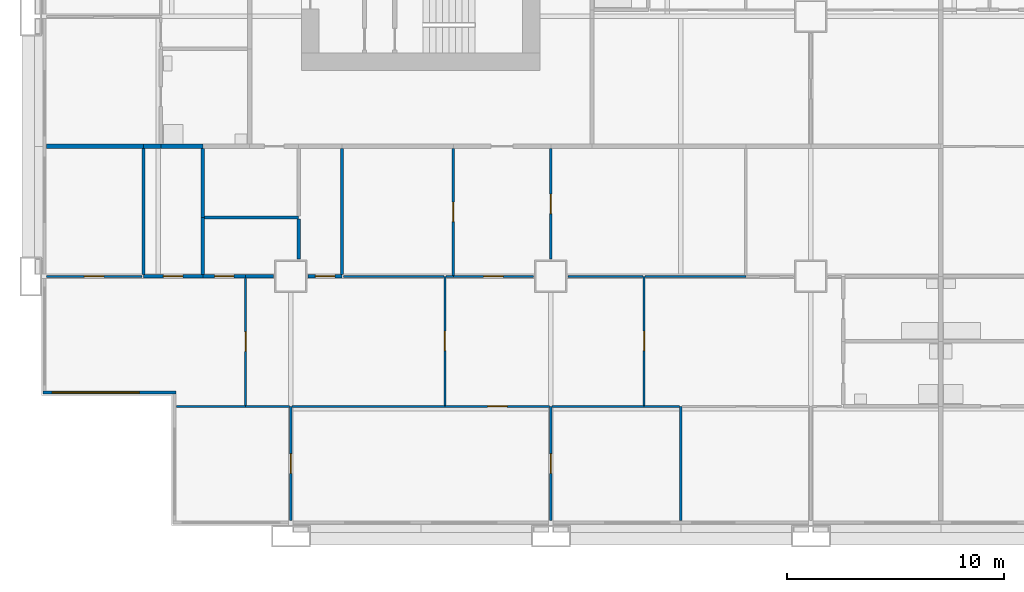
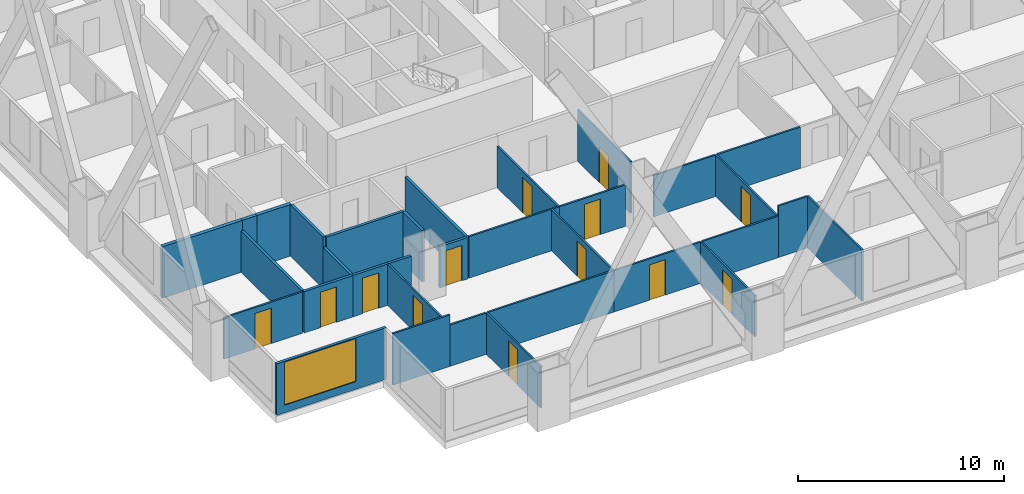
# One storey, part 2 of 13: 34 walls, 13 doors, 1 window, 14 openings.
"""IFC4 building model written with IfcOpenShell, lengths in metres."""

from ifc_helpers import new_model, si_unit, direction, frame, frame_2d, origin, place, context, subcontext, project, spatial, rectangle, extrude, material, layer, layer_set, type_object, element, fill, save


model = new_model("IFC4")

# Units and contexts
model_context = context("Model", 3, precision=1e-05, world=origin(), true_north=direction((0.0, 1.0)))
body_context = subcontext(model_context, "Body", "Model", "MODEL_VIEW")
ifc_project = project(units=[si_unit("LENGTHUNIT", "METRE"), si_unit("AREAUNIT", "SQUARE_METRE"), si_unit("VOLUMEUNIT", "CUBIC_METRE"), si_unit("PLANEANGLEUNIT", "RADIAN"), si_unit("MASSUNIT", "GRAM", prefix="KILO")], contexts=[model_context])

# Site, building, storey
site_placement = place(None, origin())
site = spatial("IfcSite", under=ifc_project, at=site_placement, CompositionType="ELEMENT")
building_placement = place(site_placement, origin())
building = spatial("IfcBuilding", under=site, at=building_placement, Name="Kitamizu Gate Tower and Museum", CompositionType="ELEMENT")
storey_placement = place(building_placement, frame((0.0, 0.0, 50.699951171875)))
storey = spatial("IfcBuildingStorey", under=building, at=storey_placement, Name="L11", CompositionType="ELEMENT", Elevation=50.699951171875)

# Wall, opening, door
ifc_material_1 = material(Name="Gypsum board on galvanised stud")
ifc_layer_1 = layer(ifc_material_1, 0.10009765625)
ifc_layer_set_1 = layer_set([ifc_layer_1], Name="Gypsum board on galvanised stud")
wall_type_1 = type_object("IfcWallType", Name="Partition 100 NOT RATED", PredefinedType="PARTITIONING", material=ifc_layer_set_1)
wall_1_placement = place(storey_placement, frame((12.0, 0.719970703125, 0.0), z_axis=(0.0, 0.0, 1.0), x_axis=(0.0, 1.0, 0.0)))
wall_1 = element("IfcWall", 1, at=wall_1_placement, inside=storey, type_object=wall_type_1, Name="Partition L11-001", PredefinedType="PARTITIONING", context=body_context, shape_type="SweptSolid", body=[
    extrude(rectangle(XDim=5.280029296875, YDim=0.10009765625, at=frame_2d((2.64013671875, 0.0))), origin(), (0.0, 0.0, 1.0), 2.449951171875),
])
opening_1_placement = place(wall_1_placement, frame((2.18994140625, 0.0, 0.0)))
opening_1 = element("IfcOpeningElement", 2, at=opening_1_placement, cuts=wall_1, Name="Opening L11-006", PredefinedType="OPENING", context=body_context, shape_type="SweptSolid", body=[
    extrude(rectangle(XDim=0.89990234375, YDim=2.10009765625, at=frame_2d((0.449951171875, 1.050048828125))), frame((0.0, 0.06005859375, 0.0), z_axis=(0.0, -1.0, 0.0), x_axis=(1.0, 0.0, 0.0)), (0.0, 0.0, 1.0), 0.1201171875),
])
ifc_material_2 = material(Name="Timber door set", Category="wood")
door_type_1 = type_object("IfcDoorType", Name="Room door 900", OperationType="NOTDEFINED", PredefinedType="DOOR", material=ifc_material_2)
door_1_placement = place(opening_1_placement, origin())
door_1 = element("IfcDoor", 3, at=door_1_placement, inside=storey, type_object=door_type_1, Name="Door L11-006", OperationType="SINGLE_SWING_RIGHT", OverallHeight=2.10009765625, OverallWidth=0.89990234375, PredefinedType="DOOR", context=body_context, shape_type="SweptSolid", body=[
    extrude(rectangle(XDim=0.89990234375, YDim=2.10009765625, at=frame_2d((0.449951171875, 1.050048828125))), frame((0.0, 0.02490234375, 0.0), z_axis=(0.0, -1.0, 0.0), x_axis=(1.0, 0.0, 0.0)), (0.0, 0.0, 1.0), 0.050048828125),
])
fill(opening_1, door_1)

# Walls
wall_2_placement = place(storey_placement, frame((9.9150390625, 6.0, 0.0), z_axis=(0.0, 0.0, 1.0), x_axis=(-1.0, 0.0, 0.0)))
element("IfcWall", 4, at=wall_2_placement, inside=storey, type_object=wall_type_1, Name="Partition L11-002", PredefinedType="PARTITIONING", context=body_context, shape_type="SweptSolid", body=[
    extrude(rectangle(XDim=3.195068359375, YDim=0.10009765625, at=frame_2d((1.59765625, 0.0))), origin(), (0.0, 0.0, 1.0), 3.050048828125),
])
wall_3_placement = place(storey_placement, frame((11.949951171875, 6.0, 0.0), z_axis=(0.0, 0.0, 1.0), x_axis=(-1.0, 0.0, 0.0)))
element("IfcWall", 5, at=wall_3_placement, inside=storey, type_object=wall_type_1, Name="Partition L11-003", PredefinedType="PARTITIONING", context=body_context, shape_type="SweptSolid", body=[
    extrude(rectangle(XDim=2.034912109375, YDim=0.10009765625, at=frame_2d((1.017578125, 0.0))), origin(), (0.0, 0.0, 1.0), 2.449951171875),
])

# Wall, opening, door
wall_4_placement = place(storey_placement, frame((24.0, 0.719970703125, 0.0), z_axis=(0.0, 0.0, 1.0), x_axis=(0.0, 1.0, 0.0)))
wall_4 = element("IfcWall", 6, at=wall_4_placement, inside=storey, type_object=wall_type_1, Name="Partition L11-004", PredefinedType="PARTITIONING", context=body_context, shape_type="SweptSolid", body=[
    extrude(rectangle(XDim=5.280029296875, YDim=0.10009765625, at=frame_2d((2.64013671875, 0.0))), origin(), (0.0, 0.0, 1.0), 2.449951171875),
])
opening_2_placement = place(wall_4_placement, frame((2.18994140625, 0.0, 0.0)))
opening_2 = element("IfcOpeningElement", 7, at=opening_2_placement, cuts=wall_4, Name="Opening L11-009", PredefinedType="OPENING", context=body_context, shape_type="SweptSolid", body=[
    extrude(rectangle(XDim=0.89990234375, YDim=2.10009765625, at=frame_2d((0.449951171875, 1.050048828125))), frame((0.0, 0.06005859375, 0.0), z_axis=(0.0, -1.0, 0.0), x_axis=(1.0, 0.0, 0.0)), (0.0, 0.0, 1.0), 0.1201171875),
])
door_2_placement = place(opening_2_placement, frame((0.89990234375, 0.0, 0.0), x_axis=(-1.0, 0.0, 0.0)))
door_2 = element("IfcDoor", 8, at=door_2_placement, inside=storey, type_object=door_type_1, Name="Door L11-009", OperationType="SINGLE_SWING_RIGHT", OverallHeight=2.10009765625, OverallWidth=0.89990234375, PredefinedType="DOOR", context=body_context, shape_type="SweptSolid", body=[
    extrude(rectangle(XDim=0.89990234375, YDim=2.10009765625, at=frame_2d((0.449951171875, 1.050048828125))), frame((0.0, 0.02490234375, 0.0), z_axis=(0.0, -1.0, 0.0), x_axis=(1.0, 0.0, 0.0)), (0.0, 0.0, 1.0), 0.050048828125),
])
fill(opening_2, door_2)

# Wall
wall_5_placement = place(storey_placement, frame((19.110107421875, 6.0, 0.0), z_axis=(0.0, 0.0, 1.0), x_axis=(-1.0, 0.0, 0.0)))
element("IfcWall", 9, at=wall_5_placement, inside=storey, type_object=wall_type_1, Name="Partition L11-005", PredefinedType="PARTITIONING", context=body_context, shape_type="SweptSolid", body=[
    extrude(rectangle(XDim=7.06005859375, YDim=0.10009765625, at=frame_2d((3.530029296875, 0.0))), origin(), (0.0, 0.0, 1.0), 2.449951171875),
])

# Wall, opening, door
wall_6_placement = place(storey_placement, frame((23.949951171875, 6.0, 0.0), z_axis=(0.0, 0.0, 1.0), x_axis=(-1.0, 0.0, 0.0)))
wall_6 = element("IfcWall", 10, at=wall_6_placement, inside=storey, type_object=wall_type_1, Name="Partition L11-006", PredefinedType="PARTITIONING", context=body_context, shape_type="SweptSolid", body=[
    extrude(rectangle(XDim=4.83984375, YDim=0.10009765625, at=frame_2d((2.419921875, 0.0))), origin(), (0.0, 0.0, 1.0), 2.449951171875),
])
opening_3_placement = place(wall_6_placement, frame((1.969970703125, 0.0, 0.0)))
opening_3 = element("IfcOpeningElement", 11, at=opening_3_placement, cuts=wall_6, Name="Opening L11-003", PredefinedType="OPENING", context=body_context, shape_type="SweptSolid", body=[
    extrude(rectangle(XDim=0.89990234375, YDim=2.10009765625, at=frame_2d((0.449951171875, 1.050048828125))), frame((0.0, 0.06005859375, 0.0), z_axis=(0.0, -1.0, 0.0), x_axis=(1.0, 0.0, 0.0)), (0.0, 0.0, 1.0), 0.1201171875),
])
door_3_placement = place(opening_3_placement, frame((0.89990234375, 0.0, 0.0), x_axis=(-1.0, 0.0, 0.0)))
door_3 = element("IfcDoor", 12, at=door_3_placement, inside=storey, type_object=door_type_1, Name="Door L11-003", OperationType="SINGLE_SWING_RIGHT", OverallHeight=2.10009765625, OverallWidth=0.89990234375, PredefinedType="DOOR", context=body_context, shape_type="SweptSolid", body=[
    extrude(rectangle(XDim=0.89990234375, YDim=2.10009765625, at=frame_2d((0.449951171875, 1.050048828125))), frame((0.0, 0.02490234375, 0.0), z_axis=(0.0, -1.0, 0.0), x_axis=(1.0, 0.0, 0.0)), (0.0, 0.0, 1.0), 0.050048828125),
])
fill(opening_3, door_3)

# Walls
wall_7_placement = place(storey_placement, frame((30.0, 0.719970703125, 0.0), z_axis=(0.0, 0.0, 1.0), x_axis=(0.0, 1.0, 0.0)))
element("IfcWall", 13, at=wall_7_placement, inside=storey, type_object=wall_type_1, Name="Partition L11-007", PredefinedType="PARTITIONING", context=body_context, shape_type="SweptSolid", body=[
    extrude(rectangle(XDim=5.280029296875, YDim=0.10009765625, at=frame_2d((2.64013671875, 0.0))), origin(), (0.0, 0.0, 1.0), 3.050048828125),
])
wall_8_placement = place(storey_placement, frame((28.304931640625, 6.0, 0.0), z_axis=(0.0, 0.0, 1.0), x_axis=(-1.0, 0.0, 0.0)))
element("IfcWall", 14, at=wall_8_placement, inside=storey, type_object=wall_type_1, Name="Partition L11-008", PredefinedType="PARTITIONING", context=body_context, shape_type="SweptSolid", body=[
    extrude(rectangle(XDim=4.2548828125, YDim=0.10009765625, at=frame_2d((2.12744140625, 0.0))), origin(), (0.0, 0.0, 1.0), 2.449951171875),
])
wall_9_placement = place(storey_placement, frame((29.949951171875, 6.0, 0.0), z_axis=(0.0, 0.0, 1.0), x_axis=(-1.0, 0.0, 0.0)))
element("IfcWall", 15, at=wall_9_placement, inside=storey, type_object=wall_type_1, Name="Partition L11-009", PredefinedType="PARTITIONING", context=body_context, shape_type="SweptSolid", body=[
    extrude(rectangle(XDim=1.64501953125, YDim=0.10009765625, at=frame_2d((0.822509765625, 0.0))), origin(), (0.0, 0.0, 1.0), 3.050048828125),
])

# Wall, opening, door
wall_10_placement = place(storey_placement, frame((9.9150390625, 6.050048828125, 0.0), z_axis=(0.0, 0.0, 1.0), x_axis=(0.0, 1.0, 0.0)))
wall_10 = element("IfcWall", 16, at=wall_10_placement, inside=storey, type_object=wall_type_1, Name="Partition L11-015", PredefinedType="PARTITIONING", context=body_context, shape_type="SweptSolid", body=[
    extrude(rectangle(XDim=5.875, YDim=0.10009765625, at=frame_2d((2.9375, 0.0))), origin(), (0.0, 0.0, 1.0), 2.449951171875),
])
opening_4_placement = place(wall_10_placement, frame((2.487548828125, 0.0, 0.0)))
opening_4 = element("IfcOpeningElement", 17, at=opening_4_placement, cuts=wall_10, Name="Opening L11-007", PredefinedType="OPENING", context=body_context, shape_type="SweptSolid", body=[
    extrude(rectangle(XDim=0.89990234375, YDim=2.10009765625, at=frame_2d((0.449951171875, 1.050048828125))), frame((0.0, 0.06005859375, 0.0), z_axis=(0.0, -1.0, 0.0), x_axis=(1.0, 0.0, 0.0)), (0.0, 0.0, 1.0), 0.1201171875),
])
door_4_placement = place(opening_4_placement, frame((0.89990234375, 0.0, 0.0), x_axis=(-1.0, 0.0, 0.0)))
door_4 = element("IfcDoor", 18, at=door_4_placement, inside=storey, type_object=door_type_1, Name="Door L11-007", OperationType="SINGLE_SWING_RIGHT", OverallHeight=2.10009765625, OverallWidth=0.89990234375, PredefinedType="DOOR", context=body_context, shape_type="SweptSolid", body=[
    extrude(rectangle(XDim=0.89990234375, YDim=2.10009765625, at=frame_2d((0.449951171875, 1.050048828125))), frame((0.0, 0.02490234375, 0.0), z_axis=(0.0, -1.0, 0.0), x_axis=(1.0, 0.0, 0.0)), (0.0, 0.0, 1.0), 0.050048828125),
])
fill(opening_4, door_4)

wall_11_placement = place(storey_placement, frame((5.12109375, 12.0, 0.0), z_axis=(0.0, 0.0, 1.0), x_axis=(-1.0, 0.0, 0.0)))
wall_11 = element("IfcWall", 19, at=wall_11_placement, inside=storey, type_object=wall_type_1, Name="Partition L11-016", PredefinedType="PARTITIONING", context=body_context, shape_type="SweptSolid", body=[
    extrude(rectangle(XDim=4.401123046875, YDim=0.10009765625, at=frame_2d((2.20068359375, 0.0))), origin(), (0.0, 0.0, 1.0), 2.449951171875),
])
opening_5_placement = place(wall_11_placement, frame((1.75048828125, 0.0, 0.0)))
opening_5 = element("IfcOpeningElement", 20, at=opening_5_placement, cuts=wall_11, Name="Opening L11-013", PredefinedType="OPENING", context=body_context, shape_type="SweptSolid", body=[
    extrude(rectangle(XDim=0.89990234375, YDim=2.10009765625, at=frame_2d((0.449951171875, 1.050048828125))), frame((0.0, 0.06005859375, 0.0), z_axis=(0.0, -1.0, 0.0), x_axis=(1.0, 0.0, 0.0)), (0.0, 0.0, 1.0), 0.1201171875),
])
door_5_placement = place(opening_5_placement, frame((0.89990234375, 0.0, 0.0), x_axis=(-1.0, 0.0, 0.0)))
door_5 = element("IfcDoor", 21, at=door_5_placement, inside=storey, type_object=door_type_1, Name="Door L11-013", OperationType="SINGLE_SWING_LEFT", OverallHeight=2.10009765625, OverallWidth=0.89990234375, PredefinedType="DOOR", context=body_context, shape_type="SweptSolid", body=[
    extrude(rectangle(XDim=0.89990234375, YDim=2.10009765625, at=frame_2d((0.449951171875, 1.050048828125))), frame((0.0, 0.02490234375, 0.0), z_axis=(0.0, -1.0, 0.0), x_axis=(1.0, 0.0, 0.0)), (0.0, 0.0, 1.0), 0.050048828125),
])
fill(opening_5, door_5)

wall_12_placement = place(storey_placement, frame((19.110107421875, 6.050048828125, 0.0), z_axis=(0.0, 0.0, 1.0), x_axis=(0.0, 1.0, 0.0)))
wall_12 = element("IfcWall", 22, at=wall_12_placement, inside=storey, type_object=wall_type_1, Name="Partition L11-019", PredefinedType="PARTITIONING", context=body_context, shape_type="SweptSolid", body=[
    extrude(rectangle(XDim=5.949951171875, YDim=0.10009765625, at=frame_2d((2.97509765625, 0.0))), origin(), (0.0, 0.0, 1.0), 2.449951171875),
])
opening_6_placement = place(wall_12_placement, frame((2.52490234375, 0.0, 0.0)))
opening_6 = element("IfcOpeningElement", 23, at=opening_6_placement, cuts=wall_12, Name="Opening L11-004", PredefinedType="OPENING", context=body_context, shape_type="SweptSolid", body=[
    extrude(rectangle(XDim=0.89990234375, YDim=2.10009765625, at=frame_2d((0.449951171875, 1.050048828125))), frame((0.0, 0.06005859375, 0.0), z_axis=(0.0, -1.0, 0.0), x_axis=(1.0, 0.0, 0.0)), (0.0, 0.0, 1.0), 0.1201171875),
])
door_6_placement = place(opening_6_placement, origin())
door_6 = element("IfcDoor", 24, at=door_6_placement, inside=storey, type_object=door_type_1, Name="Door L11-004", OperationType="SINGLE_SWING_RIGHT", OverallHeight=2.10009765625, OverallWidth=0.89990234375, PredefinedType="DOOR", context=body_context, shape_type="SweptSolid", body=[
    extrude(rectangle(XDim=0.89990234375, YDim=2.10009765625, at=frame_2d((0.449951171875, 1.050048828125))), frame((0.0, 0.02490234375, 0.0), z_axis=(0.0, -1.0, 0.0), x_axis=(1.0, 0.0, 0.0)), (0.0, 0.0, 1.0), 0.050048828125),
])
fill(opening_6, door_6)

# Wall
wall_13_placement = place(storey_placement, frame((19.06005859375, 12.0, 0.0), z_axis=(0.0, 0.0, 1.0), x_axis=(-1.0, 0.0, 0.0)))
element("IfcWall", 25, at=wall_13_placement, inside=storey, type_object=wall_type_1, Name="Partition L11-022", PredefinedType="PARTITIONING", context=body_context, shape_type="SweptSolid", body=[
    extrude(rectangle(XDim=4.62109375, YDim=0.10009765625, at=frame_2d((2.310546875, 0.0))), origin(), (0.0, 0.0, 1.0), 2.449951171875),
])

# Wall, opening, door
wall_14_placement = place(storey_placement, frame((28.304931640625, 6.050048828125, 0.0), z_axis=(0.0, 0.0, 1.0), x_axis=(0.0, 1.0, 0.0)))
wall_14 = element("IfcWall", 26, at=wall_14_placement, inside=storey, type_object=wall_type_1, Name="Partition L11-023", PredefinedType="PARTITIONING", context=body_context, shape_type="SweptSolid", body=[
    extrude(rectangle(XDim=5.949951171875, YDim=0.10009765625, at=frame_2d((2.97509765625, 0.0))), origin(), (0.0, 0.0, 1.0), 2.449951171875),
])
opening_7_placement = place(wall_14_placement, frame((2.52490234375, 0.0, 0.0)))
opening_7 = element("IfcOpeningElement", 27, at=opening_7_placement, cuts=wall_14, Name="Opening L11-005", PredefinedType="OPENING", context=body_context, shape_type="SweptSolid", body=[
    extrude(rectangle(XDim=0.89990234375, YDim=2.10009765625, at=frame_2d((0.449951171875, 1.050048828125))), frame((0.0, 0.06005859375, 0.0), z_axis=(0.0, -1.0, 0.0), x_axis=(1.0, 0.0, 0.0)), (0.0, 0.0, 1.0), 0.1201171875),
])
door_7_placement = place(opening_7_placement, origin())
door_7 = element("IfcDoor", 28, at=door_7_placement, inside=storey, type_object=door_type_1, Name="Door L11-005", OperationType="SINGLE_SWING_LEFT", OverallHeight=2.10009765625, OverallWidth=0.89990234375, PredefinedType="DOOR", context=body_context, shape_type="SweptSolid", body=[
    extrude(rectangle(XDim=0.89990234375, YDim=2.10009765625, at=frame_2d((0.449951171875, 1.050048828125))), frame((0.0, 0.02490234375, 0.0), z_axis=(0.0, -1.0, 0.0), x_axis=(1.0, 0.0, 0.0)), (0.0, 0.0, 1.0), 0.050048828125),
])
fill(opening_7, door_7)

# Wall
wall_15_placement = place(storey_placement, frame((19.5, 12.0, 0.0), z_axis=(0.0, 0.0, 1.0), x_axis=(-1.0, 0.0, 0.0)))
element("IfcWall", 29, at=wall_15_placement, inside=storey, type_object=wall_type_1, Name="Partition L11-024", PredefinedType="PARTITIONING", context=body_context, shape_type="SweptSolid", body=[
    extrude(rectangle(XDim=0.340087890625, YDim=0.10009765625, at=frame_2d((0.169921875, 0.0))), origin(), (0.0, 0.0, 1.0), 2.449951171875),
])

# Wall, opening, door
wall_16_placement = place(storey_placement, frame((23.199951171875, 12.0, 0.0), z_axis=(0.0, 0.0, 1.0), x_axis=(-1.0, 0.0, 0.0)))
wall_16 = element("IfcWall", 30, at=wall_16_placement, inside=storey, type_object=wall_type_1, Name="Partition L11-025", PredefinedType="PARTITIONING", context=body_context, shape_type="SweptSolid", body=[
    extrude(rectangle(XDim=3.699951171875, YDim=0.10009765625, at=frame_2d((1.85009765625, 0.0))), origin(), (0.0, 0.0, 1.0), 2.449951171875),
])
opening_8_placement = place(wall_16_placement, frame((1.39990234375, 0.0, 0.0)))
opening_8 = element("IfcOpeningElement", 31, at=opening_8_placement, cuts=wall_16, Name="Opening L11-002", PredefinedType="OPENING", context=body_context, shape_type="SweptSolid", body=[
    extrude(rectangle(XDim=0.89990234375, YDim=2.10009765625, at=frame_2d((0.449951171875, 1.050048828125))), frame((0.0, 0.06005859375, 0.0), z_axis=(0.0, -1.0, 0.0), x_axis=(1.0, 0.0, 0.0)), (0.0, 0.0, 1.0), 0.1201171875),
])
door_8_placement = place(opening_8_placement, origin())
door_8 = element("IfcDoor", 32, at=door_8_placement, inside=storey, type_object=door_type_1, Name="Door L11-002", OperationType="SINGLE_SWING_RIGHT", OverallHeight=2.10009765625, OverallWidth=0.89990234375, PredefinedType="DOOR", context=body_context, shape_type="SweptSolid", body=[
    extrude(rectangle(XDim=0.89990234375, YDim=2.10009765625, at=frame_2d((0.449951171875, 1.050048828125))), frame((0.0, 0.02490234375, 0.0), z_axis=(0.0, -1.0, 0.0), x_axis=(1.0, 0.0, 0.0)), (0.0, 0.0, 1.0), 0.050048828125),
])
fill(opening_8, door_8)

# Walls
wall_17_placement = place(storey_placement, frame((28.2548828125, 12.0, 0.0), z_axis=(0.0, 0.0, 1.0), x_axis=(-1.0, 0.0, 0.0)))
element("IfcWall", 33, at=wall_17_placement, inside=storey, type_object=wall_type_1, Name="Partition L11-026", PredefinedType="PARTITIONING", context=body_context, shape_type="SweptSolid", body=[
    extrude(rectangle(XDim=3.454833984375, YDim=0.10009765625, at=frame_2d((1.7275390625, 0.0))), origin(), (0.0, 0.0, 1.0), 2.449951171875),
])
wall_18_placement = place(storey_placement, frame((33.0, 12.0, 0.0), z_axis=(0.0, 0.0, 1.0), x_axis=(-1.0, 0.0, 0.0)))
element("IfcWall", 34, at=wall_18_placement, inside=storey, type_object=wall_type_1, Name="Partition L11-029", PredefinedType="PARTITIONING", context=body_context, shape_type="SweptSolid", body=[
    extrude(rectangle(XDim=4.64501953125, YDim=0.10009765625, at=frame_2d((2.322509765625, 0.0))), origin(), (0.0, 0.0, 1.0), 2.449951171875),
])

# Wall, opening, door
wall_19_placement = place(storey_placement, frame((19.5, 12.050048828125, 0.0), z_axis=(0.0, 0.0, 1.0), x_axis=(0.0, 1.0, 0.0)))
wall_19 = element("IfcWall", 35, at=wall_19_placement, inside=storey, type_object=wall_type_1, Name="Partition L11-049", PredefinedType="PARTITIONING", context=body_context, shape_type="SweptSolid", body=[
    extrude(rectangle(XDim=5.849853515625, YDim=0.10009765625, at=frame_2d((2.9248046875, 0.0))), origin(), (0.0, 0.0, 1.0), 2.449951171875),
])
opening_9_placement = place(wall_19_placement, frame((2.47509765625, 0.0, 0.0)))
opening_9 = element("IfcOpeningElement", 36, at=opening_9_placement, cuts=wall_19, Name="Opening L11-017", PredefinedType="OPENING", context=body_context, shape_type="SweptSolid", body=[
    extrude(rectangle(XDim=0.89990234375, YDim=2.10009765625, at=frame_2d((0.449951171875, 1.050048828125))), frame((0.0, 0.06005859375, 0.0), z_axis=(0.0, -1.0, 0.0), x_axis=(1.0, 0.0, 0.0)), (0.0, 0.0, 1.0), 0.1201171875),
])
door_9_placement = place(opening_9_placement, origin())
door_9 = element("IfcDoor", 37, at=door_9_placement, inside=storey, type_object=door_type_1, Name="Door L11-017", OperationType="SINGLE_SWING_LEFT", OverallHeight=2.10009765625, OverallWidth=0.89990234375, PredefinedType="DOOR", context=body_context, shape_type="SweptSolid", body=[
    extrude(rectangle(XDim=0.89990234375, YDim=2.10009765625, at=frame_2d((0.449951171875, 1.050048828125))), frame((0.0, 0.02490234375, 0.0), z_axis=(0.0, -1.0, 0.0), x_axis=(1.0, 0.0, 0.0)), (0.0, 0.0, 1.0), 0.050048828125),
])
fill(opening_9, door_9)

wall_20_placement = place(storey_placement, frame((24.0, 12.800048828125, 0.0), z_axis=(0.0, 0.0, 1.0), x_axis=(0.0, 1.0, 0.0)))
wall_20 = element("IfcWall", 38, at=wall_20_placement, inside=storey, type_object=wall_type_1, Name="Partition L11-051", PredefinedType="PARTITIONING", context=body_context, shape_type="SweptSolid", body=[
    extrude(rectangle(XDim=5.099853515625, YDim=0.10009765625, at=frame_2d((2.5498046875, 0.0))), origin(), (0.0, 0.0, 1.0), 3.050048828125),
])
opening_10_placement = place(wall_20_placement, frame((2.10009765625, 0.0, 0.0)))
opening_10 = element("IfcOpeningElement", 39, at=opening_10_placement, cuts=wall_20, Name="Opening L11-018", PredefinedType="OPENING", context=body_context, shape_type="SweptSolid", body=[
    extrude(rectangle(XDim=0.89990234375, YDim=2.10009765625, at=frame_2d((0.449951171875, 1.050048828125))), frame((0.0, 0.06005859375, 0.0), z_axis=(0.0, -1.0, 0.0), x_axis=(1.0, 0.0, 0.0)), (0.0, 0.0, 1.0), 0.1201171875),
])
door_10_placement = place(opening_10_placement, frame((0.89990234375, 0.0, 0.0), x_axis=(-1.0, 0.0, 0.0)))
door_10 = element("IfcDoor", 40, at=door_10_placement, inside=storey, type_object=door_type_1, Name="Door L11-018", OperationType="SINGLE_SWING_LEFT", OverallHeight=2.10009765625, OverallWidth=0.89990234375, PredefinedType="DOOR", context=body_context, shape_type="SweptSolid", body=[
    extrude(rectangle(XDim=0.89990234375, YDim=2.10009765625, at=frame_2d((0.449951171875, 1.050048828125))), frame((0.0, 0.02490234375, 0.0), z_axis=(0.0, -1.0, 0.0), x_axis=(1.0, 0.0, 0.0)), (0.0, 0.0, 1.0), 0.050048828125),
])
fill(opening_10, door_10)

ifc_material_3 = material(Name="Gypsum board on galvanised stud")
ifc_layer_2 = layer(ifc_material_3, 0.14990234375)
ifc_layer_set_2 = layer_set([ifc_layer_2], Name="Gypsum board on galvanised stud")
wall_type_2 = type_object("IfcWallType", Name="Partition 150", PredefinedType="PARTITIONING", material=ifc_layer_set_2)
wall_21_placement = place(storey_placement, frame((7.93896484375, 12.0, 0.0), z_axis=(0.0, 0.0, 1.0), x_axis=(-1.0, 0.0, 0.0)))
wall_21 = element("IfcWall", 41, at=wall_21_placement, inside=storey, type_object=wall_type_2, Name="Partition L11-017", PredefinedType="PARTITIONING", context=body_context, shape_type="SweptSolid", body=[
    extrude(rectangle(XDim=2.742919921875, YDim=0.14990234375, at=frame_2d((1.37158203125, 0.0))), origin(), (0.0, 0.0, 1.0), 2.449951171875),
])
opening_11_placement = place(wall_21_placement, frame((0.92138671875, 0.0, 0.0)))
opening_11 = element("IfcOpeningElement", 42, at=opening_11_placement, cuts=wall_21, Name="Opening L11-014", PredefinedType="OPENING", context=body_context, shape_type="SweptSolid", body=[
    extrude(rectangle(XDim=0.89990234375, YDim=2.10009765625, at=frame_2d((0.449951171875, 1.050048828125))), frame((0.0, 0.0849609375, 0.0), z_axis=(0.0, -1.0, 0.0), x_axis=(1.0, 0.0, 0.0)), (0.0, 0.0, 1.0), 0.169921875),
])
ifc_material_4 = material(Name="Timber door set", Category="wood")
door_type_2 = type_object("IfcDoorType", Name="Bathroom door 900", OperationType="NOTDEFINED", PredefinedType="DOOR", material=ifc_material_4)
door_11_placement = place(opening_11_placement, frame((0.89990234375, 0.0, 0.0), x_axis=(-1.0, 0.0, 0.0)))
door_11 = element("IfcDoor", 43, at=door_11_placement, inside=storey, type_object=door_type_2, Name="Bathroom door L11-014", OperationType="SINGLE_SWING_RIGHT", OverallHeight=2.10009765625, OverallWidth=0.89990234375, PredefinedType="DOOR", context=body_context, shape_type="SweptSolid", body=[
    extrude(rectangle(XDim=0.89990234375, YDim=2.10009765625, at=frame_2d((0.449951171875, 1.050048828125))), frame((0.0, 0.02490234375, 0.0), z_axis=(0.0, -1.0, 0.0), x_axis=(1.0, 0.0, 0.0)), (0.0, 0.0, 1.0), 0.050048828125),
])
fill(opening_11, door_11)

wall_22_placement = place(storey_placement, frame((9.9150390625, 12.0, 0.0), z_axis=(0.0, 0.0, 1.0), x_axis=(-1.0, 0.0, 0.0)))
wall_22 = element("IfcWall", 44, at=wall_22_placement, inside=storey, type_object=wall_type_2, Name="Partition L11-018", PredefinedType="PARTITIONING", context=body_context, shape_type="SweptSolid", body=[
    extrude(rectangle(XDim=1.97607421875, YDim=0.14990234375, at=frame_2d((0.988037109375, 0.0))), origin(), (0.0, 0.0, 1.0), 2.449951171875),
])
opening_12_placement = place(wall_22_placement, frame((0.5380859375, 0.0, 0.0)))
opening_12 = element("IfcOpeningElement", 45, at=opening_12_placement, cuts=wall_22, Name="Opening L11-015", PredefinedType="OPENING", context=body_context, shape_type="SweptSolid", body=[
    extrude(rectangle(XDim=0.89990234375, YDim=2.10009765625, at=frame_2d((0.449951171875, 1.050048828125))), frame((0.0, 0.0849609375, 0.0), z_axis=(0.0, -1.0, 0.0), x_axis=(1.0, 0.0, 0.0)), (0.0, 0.0, 1.0), 0.169921875),
])
door_12_placement = place(opening_12_placement, frame((0.89990234375, 0.0, 0.0), x_axis=(-1.0, 0.0, 0.0)))
door_12 = element("IfcDoor", 46, at=door_12_placement, inside=storey, type_object=door_type_2, Name="Bathroom door L11-015", OperationType="SINGLE_SWING_RIGHT", OverallHeight=2.10009765625, OverallWidth=0.89990234375, PredefinedType="DOOR", context=body_context, shape_type="SweptSolid", body=[
    extrude(rectangle(XDim=0.89990234375, YDim=2.10009765625, at=frame_2d((0.449951171875, 1.050048828125))), frame((0.0, 0.02490234375, 0.0), z_axis=(0.0, -1.0, 0.0), x_axis=(1.0, 0.0, 0.0)), (0.0, 0.0, 1.0), 0.050048828125),
])
fill(opening_12, door_12)

# Wall
wall_23_placement = place(storey_placement, frame((11.199951171875, 12.0, 0.0), z_axis=(0.0, 0.0, 1.0), x_axis=(-1.0, 0.0, 0.0)))
element("IfcWall", 47, at=wall_23_placement, inside=storey, type_object=wall_type_2, Name="Partition L11-020", PredefinedType="PARTITIONING", context=body_context, shape_type="SweptSolid", body=[
    extrude(rectangle(XDim=1.284912109375, YDim=0.14990234375, at=frame_2d((0.642578125, 0.0))), origin(), (0.0, 0.0, 1.0), 2.449951171875),
])

# Wall, opening, door
wall_24_placement = place(storey_placement, frame((14.364013671875, 12.0, 0.0), z_axis=(0.0, 0.0, 1.0), x_axis=(-1.0, 0.0, 0.0)))
wall_24 = element("IfcWall", 48, at=wall_24_placement, inside=storey, type_object=wall_type_2, Name="Partition L11-021", PredefinedType="PARTITIONING", context=body_context, shape_type="SweptSolid", body=[
    extrude(rectangle(XDim=1.56396484375, YDim=0.14990234375, at=frame_2d((0.781982421875, 0.0))), origin(), (0.0, 0.0, 1.0), 2.449951171875),
])
opening_13_placement = place(wall_24_placement, frame((0.33203125, 0.0, 0.0)))
opening_13 = element("IfcOpeningElement", 49, at=opening_13_placement, cuts=wall_24, Name="Opening L11-016", PredefinedType="OPENING", context=body_context, shape_type="SweptSolid", body=[
    extrude(rectangle(XDim=0.89990234375, YDim=2.10009765625, at=frame_2d((0.449951171875, 1.050048828125))), frame((0.0, 0.0849609375, 0.0), z_axis=(0.0, -1.0, 0.0), x_axis=(1.0, 0.0, 0.0)), (0.0, 0.0, 1.0), 0.169921875),
])
door_13_placement = place(opening_13_placement, frame((0.89990234375, 0.0, 0.0), x_axis=(-1.0, 0.0, 0.0)))
door_13 = element("IfcDoor", 50, at=door_13_placement, inside=storey, type_object=door_type_2, Name="Bathroom door L11-016", OperationType="SINGLE_SWING_LEFT", OverallHeight=2.10009765625, OverallWidth=0.89990234375, PredefinedType="DOOR", context=body_context, shape_type="SweptSolid", body=[
    extrude(rectangle(XDim=0.89990234375, YDim=2.10009765625, at=frame_2d((0.449951171875, 1.050048828125))), frame((0.0, 0.02490234375, 0.0), z_axis=(0.0, -1.0, 0.0), x_axis=(1.0, 0.0, 0.0)), (0.0, 0.0, 1.0), 0.050048828125),
])
fill(opening_13, door_13)

# Walls
wall_25_placement = place(storey_placement, frame((5.196044921875, 12.074951171875, 0.0), z_axis=(0.0, 0.0, 1.0), x_axis=(0.0, 1.0, 0.0)))
element("IfcWall", 51, at=wall_25_placement, inside=storey, type_object=wall_type_2, Name="Partition L11-036", PredefinedType="PARTITIONING", context=body_context, shape_type="SweptSolid", body=[
    extrude(rectangle(XDim=5.824951171875, YDim=0.14990234375, at=frame_2d((2.91259765625, 0.0))), origin(), (0.0, 0.0, 1.0), 2.449951171875),
])
wall_26_placement = place(storey_placement, frame((7.93896484375, 12.074951171875, 0.0), z_axis=(0.0, 0.0, 1.0), x_axis=(0.0, 1.0, 0.0)))
element("IfcWall", 52, at=wall_26_placement, inside=storey, type_object=wall_type_2, Name="Partition L11-038", PredefinedType="PARTITIONING", context=body_context, shape_type="SweptSolid", body=[
    extrude(rectangle(XDim=2.636962890625, YDim=0.14990234375, at=frame_2d((1.318359375, 0.0))), origin(), (0.0, 0.0, 1.0), 2.449951171875),
])
wall_27_placement = place(storey_placement, frame((7.93896484375, 14.7119140625, 0.0), z_axis=(0.0, 0.0, 1.0), x_axis=(0.0, 1.0, 0.0)))
element("IfcWall", 53, at=wall_27_placement, inside=storey, type_object=wall_type_2, Name="Partition L11-039", PredefinedType="PARTITIONING", context=body_context, shape_type="SweptSolid", body=[
    extrude(rectangle(XDim=3.18798828125, YDim=0.14990234375, at=frame_2d((1.593994140625, 0.0))), origin(), (0.0, 0.0, 1.0), 3.050048828125),
])
wall_28_placement = place(storey_placement, frame((12.364013671875, 14.7119140625, 0.0), z_axis=(0.0, 0.0, 1.0), x_axis=(-1.0, 0.0, 0.0)))
element("IfcWall", 54, at=wall_28_placement, inside=storey, type_object=wall_type_2, Name="Partition L11-042", PredefinedType="PARTITIONING", context=body_context, shape_type="SweptSolid", body=[
    extrude(rectangle(XDim=4.35009765625, YDim=0.14990234375, at=frame_2d((2.175048828125, 0.0))), origin(), (0.0, 0.0, 1.0), 3.050048828125),
])
wall_29_placement = place(storey_placement, frame((12.364013671875, 12.800048828125, 0.0), z_axis=(0.0, 0.0, 1.0), x_axis=(0.0, 1.0, 0.0)))
element("IfcWall", 55, at=wall_29_placement, inside=storey, type_object=wall_type_2, Name="Partition L11-043", PredefinedType="PARTITIONING", context=body_context, shape_type="SweptSolid", body=[
    extrude(rectangle(XDim=1.8369140625, YDim=0.14990234375, at=frame_2d((0.91845703125, 0.0))), origin(), (0.0, 0.0, 1.0), 3.050048828125),
])
wall_30_placement = place(storey_placement, frame((14.364013671875, 12.074951171875, 0.0), z_axis=(0.0, 0.0, 1.0), x_axis=(0.0, 1.0, 0.0)))
element("IfcWall", 56, at=wall_30_placement, inside=storey, type_object=wall_type_2, Name="Partition L11-047", PredefinedType="PARTITIONING", context=body_context, shape_type="SweptSolid", body=[
    extrude(rectangle(XDim=5.824951171875, YDim=0.14990234375, at=frame_2d((2.91259765625, 0.0))), origin(), (0.0, 0.0, 1.0), 2.449951171875),
])
ifc_material_5 = material(Name="Gypsum board on galvanised stud")
ifc_layer_3 = layer(ifc_material_5, 0.199951171875)
ifc_layer_set_3 = layer_set([ifc_layer_3], Name="Gypsum board on galvanised stud")
wall_type_3 = type_object("IfcWallType", Name="Partition 200", PredefinedType="PARTITIONING", material=ifc_layer_set_3)
wall_31_placement = place(storey_placement, frame((5.196044921875, 18.0, 0.0), z_axis=(0.0, 0.0, 1.0), x_axis=(-1.0, 0.0, 0.0)))
element("IfcWall", 57, at=wall_31_placement, inside=storey, type_object=wall_type_3, Name="Partition L11-037", PredefinedType="PARTITIONING", context=body_context, shape_type="SweptSolid", body=[
    extrude(rectangle(XDim=4.47607421875, YDim=0.199951171875, at=frame_2d((2.238037109375, 0.0))), origin(), (0.0, 0.0, 1.0), 3.050048828125),
])
wall_32_placement = place(storey_placement, frame((6.0, 18.0, 0.0), z_axis=(0.0, 0.0, 1.0), x_axis=(-1.0, 0.0, 0.0)))
element("IfcWall", 58, at=wall_32_placement, inside=storey, type_object=wall_type_3, Name="Partition L11-040", PredefinedType="PARTITIONING", context=body_context, shape_type="SweptSolid", body=[
    extrude(rectangle(XDim=0.803955078125, YDim=0.199951171875, at=frame_2d((0.40185546875, 0.0))), origin(), (0.0, 0.0, 1.0), 3.050048828125),
])
wall_33_placement = place(storey_placement, frame((7.93896484375, 18.0, 0.0), z_axis=(0.0, 0.0, 1.0), x_axis=(-1.0, 0.0, 0.0)))
element("IfcWall", 59, at=wall_33_placement, inside=storey, type_object=wall_type_3, Name="Partition L11-041", PredefinedType="PARTITIONING", context=body_context, shape_type="SweptSolid", body=[
    extrude(rectangle(XDim=1.93896484375, YDim=0.199951171875, at=frame_2d((0.969482421875, 0.0))), origin(), (0.0, 0.0, 1.0), 3.050048828125),
])

# Wall, opening, window
ifc_material_6 = material(Name="Bronze anodised aluminium frame with insulated spandrel and tinted glass", Category="aluminium")
ifc_layer_4 = layer(ifc_material_6, 0.14990234375)
ifc_layer_set_4 = layer_set([ifc_layer_4], Name="Bronze anodised aluminium frame with insulated spandrel and tinted glass")
wall_type_4 = type_object("IfcWallType", Name="WINDOW WALL 150 BRONZE FRAME EI 30", PredefinedType="ELEMENTEDWALL", material=ifc_layer_set_4)
wall_34_placement = place(storey_placement, frame((0.56005859375, 6.635009765625, 0.0), z_axis=(0.0, 0.0, 1.0), x_axis=(1.0, 0.0, 0.0)))
wall_34 = element("IfcWall", 60, at=wall_34_placement, inside=storey, type_object=wall_type_4, Name="Window wall south L11", PredefinedType="ELEMENTEDWALL", context=body_context, shape_type="SweptSolid", body=[
    extrude(rectangle(XDim=6.14990234375, YDim=0.14990234375, at=frame_2d((3.074951171875, 0.0))), origin(), (0.0, 0.0, 1.0), 3.050048828125),
])
opening_14_placement = place(wall_34_placement, frame((0.43994140625, 0.0, 0.449951171875)))
opening_14 = element("IfcOpeningElement", 61, at=opening_14_placement, cuts=wall_34, Name="Opening W16", PredefinedType="OPENING", context=body_context, shape_type="SweptSolid", body=[
    extrude(rectangle(XDim=4.0, YDim=2.550048828125, at=frame_2d((2.0, 1.27490234375))), frame((0.0, 0.0849609375, 0.0), z_axis=(0.0, -1.0, 0.0), x_axis=(1.0, 0.0, 0.0)), (0.0, 0.0, 1.0), 0.169921875),
])
ifc_material_7 = material(Name="Bronze anodised aluminium frame, tinted triple glazing", Category="aluminium")
window_type = type_object("IfcWindowType", Name="WINDOW 4000 x 2550 SILL 450", PartitioningType="SINGLE_PANEL", PredefinedType="WINDOW", material=ifc_material_7)
window_placement = place(opening_14_placement, origin())
window = element("IfcWindow", 62, at=window_placement, inside=storey, type_object=window_type, Name="Window W16 L11", OverallHeight=2.550048828125, OverallWidth=4.0, PartitioningType="SINGLE_PANEL", PredefinedType="WINDOW", context=body_context, shape_type="SweptSolid", body=[
    extrude(rectangle(XDim=4.0, YDim=2.550048828125, at=frame_2d((2.0, 1.27490234375))), frame((0.0, 0.030029296875, 0.0), z_axis=(0.0, -1.0, 0.0), x_axis=(1.0, 0.0, 0.0)), (0.0, 0.0, 1.0), 0.06005859375),
])
fill(opening_14, window)

save(model, "model.ifc")
